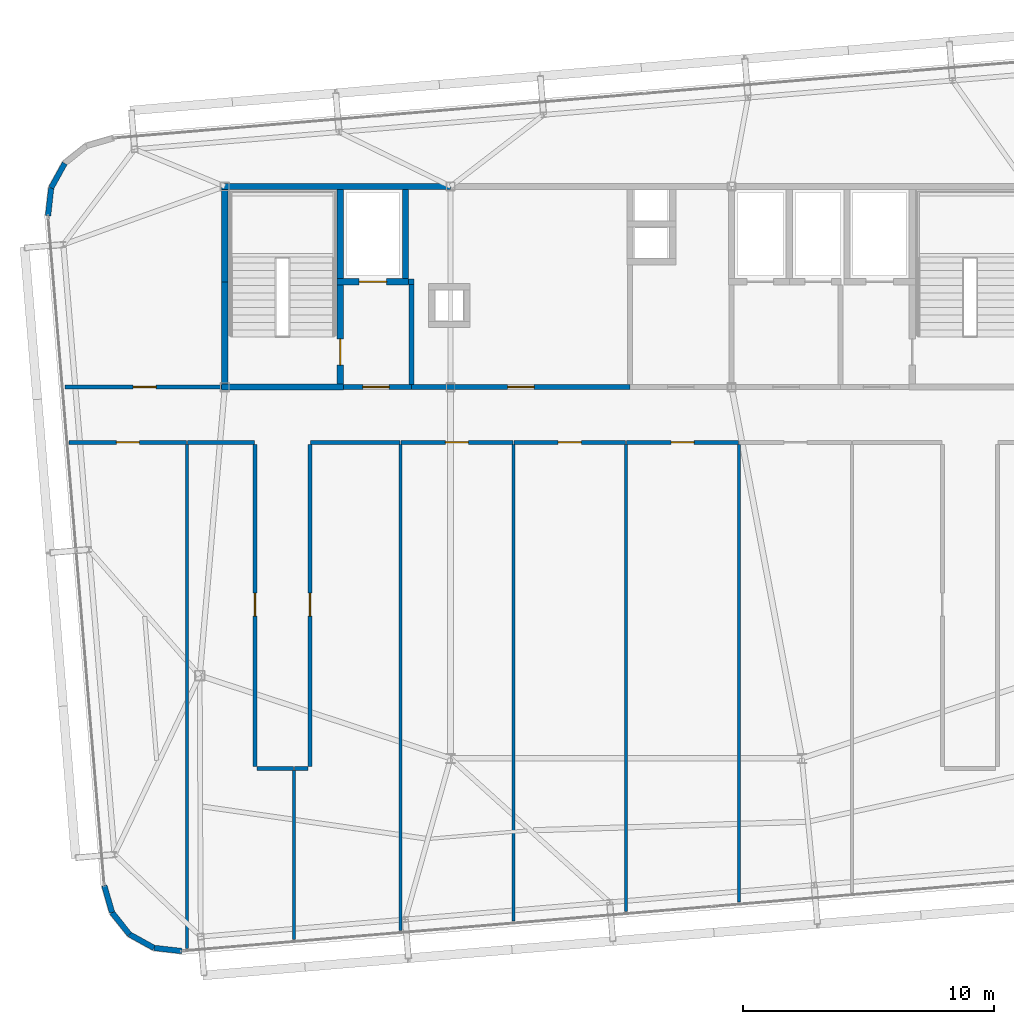
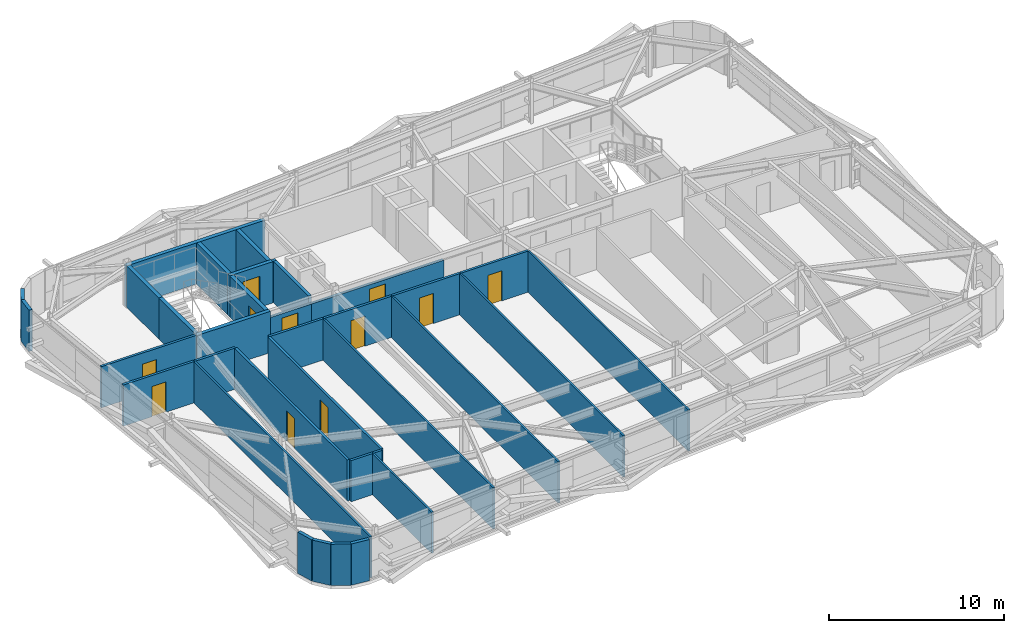
# One storey, part 35 of 39: 35 walls, 11 doors, 11 openings.
"""IFC4 building model written with IfcOpenShell, lengths in metres."""

from ifc_helpers import new_model, si_unit, direction, frame, frame_2d, origin, place, context, subcontext, project, spatial, rectangle, extrude, source, transform, mapped, material, layer, layer_set, type_object, element, fill, save


model = new_model("IFC4")

# Units and contexts
model_context = context("Model", 3, precision=1e-05, world=origin(), true_north=direction((0.0, 1.0)))
body_context = subcontext(model_context, "Body", "Model", "MODEL_VIEW")
ifc_project = project(units=[si_unit("LENGTHUNIT", "METRE"), si_unit("AREAUNIT", "SQUARE_METRE"), si_unit("VOLUMEUNIT", "CUBIC_METRE"), si_unit("PLANEANGLEUNIT", "RADIAN"), si_unit("MASSUNIT", "GRAM", prefix="KILO")], contexts=[model_context])

# Site, building, storey
site_placement = place(None, origin())
site = spatial("IfcSite", under=ifc_project, at=site_placement, CompositionType="ELEMENT")
building_placement = place(site_placement, origin())
building = spatial("IfcBuilding", under=site, at=building_placement, Name="Taldren Reach Tower", CompositionType="ELEMENT")
storey_placement = place(building_placement, frame((0.0, 0.0, 204.050048828125)))
storey = spatial("IfcBuildingStorey", under=building, at=storey_placement, Name="L62", CompositionType="ELEMENT", Elevation=204.050048828125)

# Walls
ifc_material_1 = material(Name="Pale Champagne Anodised Aluminium Cladding", Category="aluminium")
ifc_layer_1 = layer(ifc_material_1, 0.04, Name="Pale Champagne Anodised Aluminium Cladding", Category="aluminium")
ifc_material_2 = material(Name="Mineral Wool Acoustic Insulation", Category="insulation")
ifc_layer_2 = layer(ifc_material_2, 0.06, Name="Mineral Wool Acoustic Insulation", Category="insulation")
ifc_material_3 = material(Name="Steel Gr 350 (C350L0)", Category="steel")
ifc_layer_3 = layer(ifc_material_3, 0.12, Name="Steel Gr 350 (C350L0)", Category="steel")
ifc_layer_set_1 = layer_set([ifc_layer_1, ifc_layer_2, ifc_layer_3], Name="Pale Champagne Aluminium Cladding and Steel Gr 350 Stud Framing")
wall_type_1 = type_object("IfcWallType", Name="EW-CRN-220", PredefinedType="SOLIDWALL", material=ifc_layer_set_1)
shared_shape_1 = source(origin(), body_context, "Body", "SweptSolid", [
    extrude(rectangle(XDim=1.115966796875, YDim=0.219970703125, at=frame_2d((0.55810546875, 0.0))), origin(), (0.0, 0.0, 1.0), 2.869873046875),
])
for number, where, z_axis, x_axis, name in (
    (1, (12.618896484375, 32.9208984375, 0.0), (0.0, 0.0, 1.0), (-0.484100585842, -0.875012355791, 0.0), "Rounded-corner pale-metal facade wall L62-NW3"),
    (2, (12.07861328125, 31.9443359375, 0.0), (0.0, 0.0, 1.0), (-0.112232247342, -0.993682002784, 0.0), "Rounded-corner pale-metal facade wall L62-NW4"),
    (3, (14.19580078125, 4.129638671875, 0.0), (0.0, 0.0, 1.0), (0.276512002475, -0.961010464297, 0.0), "Rounded-corner pale-metal facade wall L62-SW1"),
    (4, (14.50439453125, 3.05712890625, 0.0), (0.0, 0.0, 1.0), (0.623092886403, -0.782147847222, 0.0), "Rounded-corner pale-metal facade wall L62-SW2"),
    (5, (15.19970703125, 2.184326171875, 0.0), (0.0, 0.0, 1.0), (0.875105012065, -0.483933071672, 0.0), "Rounded-corner pale-metal facade wall L62-SW3"),
    (6, (16.17626953125, 1.644287109375, 0.0), (0.0, 0.0, 1.0), (0.993657581277, -0.112448259968, 0.0), "Rounded-corner pale-metal facade wall L62-SW4"),
):
    element("IfcWall", number, at=place(storey_placement, frame(where, z_axis=z_axis, x_axis=x_axis)), inside=storey, type_object=wall_type_1, Name=name, PredefinedType="SOLIDWALL", context=body_context, shape_type="MappedRepresentation", body=[
        mapped(shared_shape_1, transform((0.0, 0.0, 0.0), scale=1.0)),
    ])
ifc_material_4 = material(Name="Concrete S50 (50 MPa)", Category="concrete")
ifc_layer_4 = layer(ifc_material_4, 0.199951171875)
ifc_layer_set_2 = layer_set([ifc_layer_4], Name="Concrete S50 (50 MPa)")
wall_type_2 = type_object("IfcWallType", Name="IW-CORE-200", PredefinedType="SOLIDWALL", material=ifc_layer_set_2)
shared_shape_2 = source(origin(), body_context, "Body", "SweptSolid", [
    extrude(rectangle(XDim=4.0, YDim=0.199951171875, at=frame_2d((2.0, 0.0))), origin(), (0.0, 0.0, 1.0), 2.869873046875),
])
wall_1_placement = place(storey_placement, frame((26.449951171875, 24.10009765625, 0.0), z_axis=(0.0, 0.0, 1.0), x_axis=(0.0, 1.0, 0.0)))
element("IfcWall", 7, at=wall_1_placement, inside=storey, type_object=wall_type_2, Name="Rear Core Shear Wall W-INT-L62-006", PredefinedType="SOLIDWALL", context=body_context, shape_type="MappedRepresentation", body=[
    mapped(shared_shape_2, transform((0.0, 0.0, 0.0), scale=1.0)),
])

# Wall, opening, door
ifc_material_5 = material(Name="Fire-Rated Acoustic Plasterboard Stud Wall", Category="gypsum")
ifc_layer_5 = layer(ifc_material_5, 0.159912109375)
ifc_layer_set_3 = layer_set([ifc_layer_5], Name="Fire-Rated Acoustic Plasterboard Stud Wall")
wall_type_3 = type_object("IfcWallType", Name="IW-FIRE-160", PredefinedType="PARTITIONING", material=ifc_layer_set_3)
shared_shape_3 = source(origin(), body_context, "Body", "SweptSolid", [
    extrude(rectangle(XDim=4.45947265625, YDim=0.159912109375, at=frame_2d((2.229736328125, 0.0))), origin(), (0.0, 0.0, 1.0), 2.869873046875),
])
wall_2_placement = place(storey_placement, frame((30.479736328125, 21.800048828125, 0.0), z_axis=(0.0, 0.0, 1.0), x_axis=(-1.0, 0.0, 0.0)))
wall_2 = element("IfcWall", 8, at=wall_2_placement, inside=storey, type_object=wall_type_3, Name="Interior Partition Wall W-INT-L62-042", PredefinedType="PARTITIONING", context=body_context, shape_type="MappedRepresentation", body=[
    mapped(shared_shape_3, transform((0.0, 0.0, 0.0), scale=1.0)),
])
shared_shape_4 = source(origin(), body_context, "Body", "SweptSolid", [
    extrude(rectangle(XDim=0.919921875, YDim=2.10009765625, at=frame_2d((0.4599609375, 1.050048828125))), frame((0.0, 0.08984375, 0.0), z_axis=(0.0, -1.0, 0.0), x_axis=(1.0, 0.0, 0.0)), (0.0, 0.0, 1.0), 0.179931640625),
])
opening_1_placement = place(wall_2_placement, frame((1.769775390625, 0.0, 0.0)))
opening_1 = element("IfcOpeningElement", 9, at=opening_1_placement, cuts=wall_2, Name="Opening DI-092", PredefinedType="OPENING", context=body_context, shape_type="MappedRepresentation", body=[
    mapped(shared_shape_4, transform((0.0, 0.0, 0.0), scale=1.0)),
])
ifc_material_6 = material(Name="Solid-Core Timber Suite Door", Category="wood")
door_type_1 = type_object("IfcDoorType", Name="ID-INT-092", OperationType="NOTDEFINED", PredefinedType="DOOR", material=ifc_material_6)
shared_shape_5 = source(origin(), body_context, "Body", "SweptSolid", [
    extrude(rectangle(XDim=0.919921875, YDim=2.10009765625, at=frame_2d((0.4599609375, 1.050048828125))), frame((0.0, 0.02490234375, 0.0), z_axis=(0.0, -1.0, 0.0), x_axis=(1.0, 0.0, 0.0)), (0.0, 0.0, 1.0), 0.050048828125),
])
door_1_placement = place(opening_1_placement, origin())
door_1 = element("IfcDoor", 10, at=door_1_placement, inside=storey, type_object=door_type_1, Name="Interior Door DR-L62-012", OperationType="SINGLE_SWING_LEFT", OverallHeight=2.10009765625, OverallWidth=0.919921875, PredefinedType="DOOR", context=body_context, shape_type="MappedRepresentation", body=[
    mapped(shared_shape_5, transform((0.0, 0.0, 0.0), scale=1.0)),
])
fill(opening_1, door_1)

wall_3_placement = place(storey_placement, frame((34.979736328125, 21.800048828125, 0.0), z_axis=(0.0, 0.0, 1.0), x_axis=(-1.0, 0.0, 0.0)))
wall_3 = element("IfcWall", 11, at=wall_3_placement, inside=storey, type_object=wall_type_3, Name="Interior Partition Wall W-INT-L62-043", PredefinedType="PARTITIONING", context=body_context, shape_type="MappedRepresentation", body=[
    mapped(shared_shape_3, transform((0.0, 0.0, 0.0), scale=1.0)),
])
opening_2_placement = place(wall_3_placement, frame((1.769775390625, 0.0, 0.0)))
opening_2 = element("IfcOpeningElement", 12, at=opening_2_placement, cuts=wall_3, Name="Opening DI-092", PredefinedType="OPENING", context=body_context, shape_type="MappedRepresentation", body=[
    mapped(shared_shape_4, transform((0.0, 0.0, 0.0), scale=1.0)),
])
door_2_placement = place(opening_2_placement, origin())
door_2 = element("IfcDoor", 13, at=door_2_placement, inside=storey, type_object=door_type_1, Name="Interior Door DR-L62-013", OperationType="SINGLE_SWING_RIGHT", OverallHeight=2.10009765625, OverallWidth=0.919921875, PredefinedType="DOOR", context=body_context, shape_type="MappedRepresentation", body=[
    mapped(shared_shape_5, transform((0.0, 0.0, 0.0), scale=1.0)),
])
fill(opening_2, door_2)

wall_4_placement = place(storey_placement, frame((39.479736328125, 21.800048828125, 0.0), z_axis=(0.0, 0.0, 1.0), x_axis=(-1.0, 0.0, 0.0)))
wall_4 = element("IfcWall", 14, at=wall_4_placement, inside=storey, type_object=wall_type_3, Name="Interior Partition Wall W-INT-L62-045", PredefinedType="PARTITIONING", context=body_context, shape_type="MappedRepresentation", body=[
    mapped(shared_shape_3, transform((0.0, 0.0, 0.0), scale=1.0)),
])
opening_3_placement = place(wall_4_placement, frame((1.769775390625, 0.0, 0.0)))
opening_3 = element("IfcOpeningElement", 15, at=opening_3_placement, cuts=wall_4, Name="Opening DI-092", PredefinedType="OPENING", context=body_context, shape_type="MappedRepresentation", body=[
    mapped(shared_shape_4, transform((0.0, 0.0, 0.0), scale=1.0)),
])
door_3_placement = place(opening_3_placement, origin())
door_3 = element("IfcDoor", 16, at=door_3_placement, inside=storey, type_object=door_type_1, Name="Interior Door DR-L62-015", OperationType="SINGLE_SWING_RIGHT", OverallHeight=2.10009765625, OverallWidth=0.919921875, PredefinedType="DOOR", context=body_context, shape_type="MappedRepresentation", body=[
    mapped(shared_shape_5, transform((0.0, 0.0, 0.0), scale=1.0)),
])
fill(opening_3, door_3)

# Walls
ifc_material_7 = material(Name="Concrete S65 (65 MPa)", Category="concrete")
ifc_layer_6 = layer(ifc_material_7, 0.25)
ifc_layer_set_4 = layer_set([ifc_layer_6], Name="Concrete S65 (65 MPa)")
wall_type_4 = type_object("IfcWallType", Name="IW-CORE-250", PredefinedType="SHEAR", material=ifc_layer_set_4)
shared_shape_6 = source(origin(), body_context, "Body", "SweptSolid", [
    extrude(rectangle(XDim=9.125, YDim=0.25, at=frame_2d((4.5625, 0.0))), origin(), (0.0, 0.0, 1.0), 2.869873046875),
])
wall_5_placement = place(storey_placement, frame((18.875, 32.0, 0.0), z_axis=(0.0, 0.0, 1.0), x_axis=(1.0, 0.0, 0.0)))
element("IfcWall", 17, at=wall_5_placement, inside=storey, type_object=wall_type_4, Name="Rear Core Shear Wall W-CORE-L62-NORTH1", PredefinedType="SHEAR", context=body_context, shape_type="MappedRepresentation", body=[
    mapped(shared_shape_6, transform((0.0, 0.0, 0.0), scale=1.0)),
])
shared_shape_7 = source(origin(), body_context, "Body", "SweptSolid", [
    extrude(rectangle(XDim=4.074951171875, YDim=0.25, at=frame_2d((2.03759765625, 0.0))), origin(), (0.0, 0.0, 1.0), 2.869873046875),
])
wall_6_placement = place(storey_placement, frame((19.0, 24.125, 0.0), z_axis=(0.0, 0.0, 1.0), x_axis=(0.0, 1.0, 0.0)))
element("IfcWall", 18, at=wall_6_placement, inside=storey, type_object=wall_type_4, Name="Rear Core Shear Wall W-CORE-L62-WEST1", PredefinedType="SHEAR", context=body_context, shape_type="MappedRepresentation", body=[
    mapped(shared_shape_7, transform((0.0, 0.0, 0.0), scale=1.0)),
])
shared_shape_8 = source(origin(), body_context, "Body", "SweptSolid", [
    extrude(rectangle(XDim=3.675048828125, YDim=0.25, at=frame_2d((1.83740234375, 0.0))), origin(), (0.0, 0.0, 1.0), 2.869873046875),
])
wall_7_placement = place(storey_placement, frame((19.0, 28.199951171875, 0.0), z_axis=(0.0, 0.0, 1.0), x_axis=(0.0, 1.0, 0.0)))
element("IfcWall", 19, at=wall_7_placement, inside=storey, type_object=wall_type_4, Name="Rear Core Shear Wall W-CORE-L62-WEST2", PredefinedType="SHEAR", context=body_context, shape_type="MappedRepresentation", body=[
    mapped(shared_shape_8, transform((0.0, 0.0, 0.0), scale=1.0)),
])
shared_shape_9 = source(origin(), body_context, "Body", "SweptSolid", [
    extrude(rectangle(XDim=3.550048828125, YDim=0.25, at=frame_2d((1.77490234375, 0.0))), origin(), (0.0, 0.0, 1.0), 2.869873046875),
])
for number, where, z_axis, x_axis, name in (
    (20, (23.60009765625, 28.324951171875, 0.0), (0.0, 0.0, 1.0), (0.0, 1.0, 0.0), "Rear Core Shear Wall W-INT-L62-001"),
    (21, (26.199951171875, 28.324951171875, 0.0), (0.0, 0.0, 1.0), (0.0, 1.0, 0.0), "Rear Core Shear Wall W-INT-L62-005"),
):
    element("IfcWall", number, at=place(storey_placement, frame(where, z_axis=z_axis, x_axis=x_axis)), inside=storey, type_object=wall_type_4, Name=name, PredefinedType="SHEAR", context=body_context, shape_type="MappedRepresentation", body=[
        mapped(shared_shape_9, transform((0.0, 0.0, 0.0), scale=1.0)),
    ])

# Wall, opening, door
shared_shape_10 = source(origin(), body_context, "Body", "SweptSolid", [
    extrude(rectangle(XDim=3.949951171875, YDim=0.25, at=frame_2d((1.97509765625, 0.0))), origin(), (0.0, 0.0, 1.0), 2.869873046875),
])
wall_8_placement = place(storey_placement, frame((23.60009765625, 24.125, 0.0), z_axis=(0.0, 0.0, 1.0), x_axis=(0.0, 1.0, 0.0)))
wall_8 = element("IfcWall", 22, at=wall_8_placement, inside=storey, type_object=wall_type_4, Name="Rear Core Shear Wall W-INT-L62-002", PredefinedType="SHEAR", context=body_context, shape_type="MappedRepresentation", body=[
    mapped(shared_shape_10, transform((0.0, 0.0, 0.0), scale=1.0)),
])
shared_shape_11 = source(origin(), body_context, "Body", "SweptSolid", [
    extrude(rectangle(XDim=1.050048828125, YDim=2.10009765625, at=frame_2d((0.52490234375, 1.050048828125))), frame((0.0, 0.135009765625, 0.0), z_axis=(0.0, -1.0, 0.0), x_axis=(1.0, 0.0, 0.0)), (0.0, 0.0, 1.0), 0.27001953125),
])
opening_4_placement = place(wall_8_placement, frame((0.75, 0.0, 0.0)))
opening_4 = element("IfcOpeningElement", 23, at=opening_4_placement, cuts=wall_8, Name="Opening DF-105", PredefinedType="OPENING", context=body_context, shape_type="MappedRepresentation", body=[
    mapped(shared_shape_11, transform((0.0, 0.0, 0.0), scale=1.0)),
])
ifc_material_8 = material(Name="Fire-Rated Care and Stair Exit Door")
door_type_2 = type_object("IfcDoorType", Name="ID-FIRE-105", OperationType="NOTDEFINED", PredefinedType="DOOR", material=ifc_material_8)
shared_shape_12 = source(origin(), body_context, "Body", "SweptSolid", [
    extrude(rectangle(XDim=1.050048828125, YDim=2.10009765625, at=frame_2d((0.52490234375, 1.050048828125))), frame((0.0, 0.02490234375, 0.0), z_axis=(0.0, -1.0, 0.0), x_axis=(1.0, 0.0, 0.0)), (0.0, 0.0, 1.0), 0.050048828125),
])
door_4_placement = place(opening_4_placement, origin())
door_4 = element("IfcDoor", 24, at=door_4_placement, inside=storey, type_object=door_type_2, Name="Fire Exit Stair Door DR-L62-001", OperationType="SINGLE_SWING_LEFT", OverallHeight=2.10009765625, OverallWidth=1.050048828125, PredefinedType="DOOR", context=body_context, shape_type="MappedRepresentation", body=[
    mapped(shared_shape_12, transform((0.0, 0.0, 0.0), scale=1.0)),
])
fill(opening_4, door_4)

# Wall
shared_shape_13 = source(origin(), body_context, "Body", "SweptSolid", [
    extrude(rectangle(XDim=4.85009765625, YDim=0.25, at=frame_2d((2.425048828125, 0.0))), origin(), (0.0, 0.0, 1.0), 2.869873046875),
])
wall_9_placement = place(storey_placement, frame((18.875, 24.0, 0.0), z_axis=(0.0, 0.0, 1.0), x_axis=(1.0, 0.0, 0.0)))
element("IfcWall", 25, at=wall_9_placement, inside=storey, type_object=wall_type_4, Name="Rear Core Shear Wall W-INT-L62-003", PredefinedType="SHEAR", context=body_context, shape_type="MappedRepresentation", body=[
    mapped(shared_shape_13, transform((0.0, 0.0, 0.0), scale=1.0)),
])

# Wall, opening, door
shared_shape_14 = source(origin(), body_context, "Body", "SweptSolid", [
    extrude(rectangle(XDim=2.849853515625, YDim=0.25, at=frame_2d((1.4248046875, 0.0))), origin(), (0.0, 0.0, 1.0), 2.869873046875),
])
wall_10_placement = place(storey_placement, frame((23.47509765625, 28.199951171875, 0.0), z_axis=(0.0, 0.0, 1.0), x_axis=(1.0, 0.0, 0.0)))
wall_10 = element("IfcWall", 26, at=wall_10_placement, inside=storey, type_object=wall_type_4, Name="Rear Core Shear Wall W-INT-L62-004", PredefinedType="SHEAR", context=body_context, shape_type="MappedRepresentation", body=[
    mapped(shared_shape_14, transform((0.0, 0.0, 0.0), scale=1.0)),
])
shared_shape_15 = source(origin(), body_context, "Body", "SweptSolid", [
    extrude(rectangle(XDim=1.10009765625, YDim=2.14990234375, at=frame_2d((0.550048828125, 1.074951171875))), frame((0.0, 0.135009765625, 0.0), z_axis=(0.0, -1.0, 0.0), x_axis=(1.0, 0.0, 0.0)), (0.0, 0.0, 1.0), 0.27001953125),
])
opening_5_placement = place(wall_10_placement, frame((0.875, 0.0, 0.0)))
opening_5 = element("IfcOpeningElement", 27, at=opening_5_placement, cuts=wall_10, Name="Opening LD-FL1", PredefinedType="OPENING", context=body_context, shape_type="MappedRepresentation", body=[
    mapped(shared_shape_15, transform((0.0, 0.0, 0.0), scale=1.0)),
])
ifc_material_9 = material(Name="Stainless Steel Gr 316 Emergency Lift Landing Door", Category="steel")
door_type_3 = type_object("IfcDoorType", Name="LD-EMG-110", OperationType="SLIDING_TO_LEFT", PredefinedType="DOOR", material=ifc_material_9)
shared_shape_16 = source(origin(), body_context, "Body", "SweptSolid", [
    extrude(rectangle(XDim=1.10009765625, YDim=2.14990234375, at=frame_2d((0.550048828125, 1.074951171875))), frame((0.0, 0.02490234375, 0.0), z_axis=(0.0, -1.0, 0.0), x_axis=(1.0, 0.0, 0.0)), (0.0, 0.0, 1.0), 0.050048828125),
])
door_5_placement = place(opening_5_placement, origin())
door_5 = element("IfcDoor", 28, at=door_5_placement, inside=storey, type_object=door_type_3, Name="Lift Landing Door LD-FL1-L62", OperationType="SLIDING_TO_LEFT", OverallHeight=2.14990234375, OverallWidth=1.10009765625, PredefinedType="DOOR", context=body_context, shape_type="MappedRepresentation", body=[
    mapped(shared_shape_16, transform((0.0, 0.0, 0.0), scale=1.0)),
])
fill(opening_5, door_5)

shared_shape_17 = source(origin(), body_context, "Body", "SweptSolid", [
    extrude(rectangle(XDim=2.724853515625, YDim=0.199951171875, at=frame_2d((1.3623046875, 0.0))), origin(), (0.0, 0.0, 1.0), 2.409912109375),
])
wall_11_placement = place(storey_placement, frame((23.72509765625, 24.0, 0.0), z_axis=(0.0, 0.0, 1.0), x_axis=(1.0, 0.0, 0.0)))
wall_11 = element("IfcWall", 29, at=wall_11_placement, inside=storey, type_object=wall_type_2, Name="Rear Core Shear Wall W-INT-L62-007", PredefinedType="SOLIDWALL", context=body_context, shape_type="MappedRepresentation", body=[
    mapped(shared_shape_17, transform((0.0, 0.0, 0.0), scale=1.0)),
])
shared_shape_18 = source(origin(), body_context, "Body", "SweptSolid", [
    extrude(rectangle(XDim=1.050048828125, YDim=2.10009765625, at=frame_2d((0.52490234375, 1.050048828125))), frame((0.0, 0.10986328125, 0.0), z_axis=(0.0, -1.0, 0.0), x_axis=(1.0, 0.0, 0.0)), (0.0, 0.0, 1.0), 0.219970703125),
])
opening_6_placement = place(wall_11_placement, frame((0.77490234375, 0.0, 0.0)))
opening_6 = element("IfcOpeningElement", 30, at=opening_6_placement, cuts=wall_11, Name="Opening DF-105", PredefinedType="OPENING", context=body_context, shape_type="MappedRepresentation", body=[
    mapped(shared_shape_18, transform((0.0, 0.0, 0.0), scale=1.0)),
])
door_6_placement = place(opening_6_placement, origin())
door_6 = element("IfcDoor", 31, at=door_6_placement, inside=storey, type_object=door_type_2, Name="Interior Door DR-L62-002", OperationType="SINGLE_SWING_LEFT", OverallHeight=2.10009765625, OverallWidth=1.050048828125, PredefinedType="DOOR", context=body_context, shape_type="MappedRepresentation", body=[
    mapped(shared_shape_12, transform((0.0, 0.0, 0.0), scale=1.0)),
])
fill(opening_6, door_6)

shared_shape_19 = source(origin(), body_context, "Body", "SweptSolid", [
    extrude(rectangle(XDim=8.699951171875, YDim=0.199951171875, at=frame_2d((4.35009765625, 0.0))), origin(), (0.0, 0.0, 1.0), 2.409912109375),
])
wall_12_placement = place(storey_placement, frame((35.14990234375, 24.0, 0.0), z_axis=(0.0, 0.0, 1.0), x_axis=(-1.0, 0.0, 0.0)))
wall_12 = element("IfcWall", 32, at=wall_12_placement, inside=storey, type_object=wall_type_2, Name="Rear Core Shear Wall W-INT-L62-032", PredefinedType="SOLIDWALL", context=body_context, shape_type="MappedRepresentation", body=[
    mapped(shared_shape_19, transform((0.0, 0.0, 0.0), scale=1.0)),
])
opening_7_placement = place(wall_12_placement, frame((3.824951171875, 0.0, 0.0)))
opening_7 = element("IfcOpeningElement", 33, at=opening_7_placement, cuts=wall_12, Name="Opening DF-105", PredefinedType="OPENING", context=body_context, shape_type="MappedRepresentation", body=[
    mapped(shared_shape_18, transform((0.0, 0.0, 0.0), scale=1.0)),
])
door_7_placement = place(opening_7_placement, frame((1.050048828125, 0.0, 0.0), z_axis=(0.0, 0.0, 1.0), x_axis=(-1.0, 0.0, 0.0)))
door_7 = element("IfcDoor", 34, at=door_7_placement, inside=storey, type_object=door_type_2, Name="Interior Door DR-L62-006", OperationType="SINGLE_SWING_RIGHT", OverallHeight=2.10009765625, OverallWidth=1.050048828125, PredefinedType="DOOR", context=body_context, shape_type="MappedRepresentation", body=[
    mapped(shared_shape_12, transform((0.0, 0.0, 0.0), scale=1.0)),
])
fill(opening_7, door_7)

shared_shape_20 = source(origin(), body_context, "Body", "SweptSolid", [
    extrude(rectangle(XDim=6.250732421875, YDim=0.159912109375, at=frame_2d((3.12548828125, 0.0))), origin(), (0.0, 0.0, 1.0), 2.869873046875),
])
wall_13_placement = place(storey_placement, frame((12.624267578125, 24.0, 0.0), z_axis=(0.0, 0.0, 1.0), x_axis=(1.0, 0.0, 0.0)))
wall_13 = element("IfcWall", 35, at=wall_13_placement, inside=storey, type_object=wall_type_3, Name="Interior Partition Wall W-INT-L62-034", PredefinedType="PARTITIONING", context=body_context, shape_type="MappedRepresentation", body=[
    mapped(shared_shape_20, transform((0.0, 0.0, 0.0), scale=1.0)),
])
opening_8_placement = place(wall_13_placement, frame((2.7177734375, 0.0, 0.0)))
opening_8 = element("IfcOpeningElement", 36, at=opening_8_placement, cuts=wall_13, Name="Opening DI-092", PredefinedType="OPENING", context=body_context, shape_type="MappedRepresentation", body=[
    mapped(shared_shape_4, transform((0.0, 0.0, 0.0), scale=1.0)),
])
door_8_placement = place(opening_8_placement, origin())
door_8 = element("IfcDoor", 37, at=door_8_placement, inside=storey, type_object=door_type_1, Name="Interior Door DR-L62-008", OperationType="SINGLE_SWING_LEFT", OverallHeight=2.10009765625, OverallWidth=0.919921875, PredefinedType="DOOR", context=body_context, shape_type="MappedRepresentation", body=[
    mapped(shared_shape_5, transform((0.0, 0.0, 0.0), scale=1.0)),
])
fill(opening_8, door_8)

shared_shape_21 = source(origin(), body_context, "Body", "SweptSolid", [
    extrude(rectangle(XDim=4.68408203125, YDim=0.159912109375, at=frame_2d((2.342041015625, 0.0))), origin(), (0.0, 0.0, 1.0), 2.869873046875),
])
wall_14_placement = place(storey_placement, frame((17.479736328125, 21.800048828125, 0.0), z_axis=(0.0, 0.0, 1.0), x_axis=(-1.0, 0.0, 0.0)))
wall_14 = element("IfcWall", 38, at=wall_14_placement, inside=storey, type_object=wall_type_3, Name="Interior Partition Wall W-INT-L62-035", PredefinedType="PARTITIONING", context=body_context, shape_type="MappedRepresentation", body=[
    mapped(shared_shape_21, transform((0.0, 0.0, 0.0), scale=1.0)),
])
opening_9_placement = place(wall_14_placement, frame((1.882080078125, 0.0, 0.0)))
opening_9 = element("IfcOpeningElement", 39, at=opening_9_placement, cuts=wall_14, Name="Opening DI-092", PredefinedType="OPENING", context=body_context, shape_type="MappedRepresentation", body=[
    mapped(shared_shape_4, transform((0.0, 0.0, 0.0), scale=1.0)),
])
door_9_placement = place(opening_9_placement, origin())
door_9 = element("IfcDoor", 40, at=door_9_placement, inside=storey, type_object=door_type_1, Name="Interior Door DR-L62-009", OperationType="SINGLE_SWING_RIGHT", OverallHeight=2.10009765625, OverallWidth=0.919921875, PredefinedType="DOOR", context=body_context, shape_type="MappedRepresentation", body=[
    mapped(shared_shape_5, transform((0.0, 0.0, 0.0), scale=1.0)),
])
fill(opening_9, door_9)

shared_shape_22 = source(origin(), body_context, "Body", "SweptSolid", [
    extrude(rectangle(XDim=12.840087890625, YDim=0.159912109375, at=frame_2d((6.419921875, 0.0))), origin(), (0.0, 0.0, 1.0), 2.869873046875),
])
wall_15_placement = place(storey_placement, frame((20.199951171875, 8.8798828125, 0.0), z_axis=(0.0, 0.0, 1.0), x_axis=(0.0, 1.0, 0.0)))
wall_15 = element("IfcWall", 41, at=wall_15_placement, inside=storey, type_object=wall_type_3, Name="Interior Partition Wall W-INT-L62-036", PredefinedType="PARTITIONING", context=body_context, shape_type="MappedRepresentation", body=[
    mapped(shared_shape_22, transform((0.0, 0.0, 0.0), scale=1.0)),
])
opening_10_placement = place(wall_15_placement, frame((5.98974609375, 0.0, 0.0)))
opening_10 = element("IfcOpeningElement", 42, at=opening_10_placement, cuts=wall_15, Name="Opening DI-092", PredefinedType="OPENING", context=body_context, shape_type="MappedRepresentation", body=[
    mapped(shared_shape_4, transform((0.0, 0.0, 0.0), scale=1.0)),
])
door_10_placement = place(opening_10_placement, origin())
door_10 = element("IfcDoor", 43, at=door_10_placement, inside=storey, type_object=door_type_1, Name="Interior Door DR-L62-010", OperationType="SINGLE_SWING_LEFT", OverallHeight=2.10009765625, OverallWidth=0.919921875, PredefinedType="DOOR", context=body_context, shape_type="MappedRepresentation", body=[
    mapped(shared_shape_5, transform((0.0, 0.0, 0.0), scale=1.0)),
])
fill(opening_10, door_10)

wall_16_placement = place(storey_placement, frame((22.39990234375, 21.719970703125, 0.0), z_axis=(0.0, 0.0, 1.0), x_axis=(0.0, -1.0, 0.0)))
wall_16 = element("IfcWall", 44, at=wall_16_placement, inside=storey, type_object=wall_type_3, Name="Interior Partition Wall W-INT-L62-039", PredefinedType="PARTITIONING", context=body_context, shape_type="MappedRepresentation", body=[
    mapped(shared_shape_22, transform((0.0, 0.0, 0.0), scale=1.0)),
])
opening_11_placement = place(wall_16_placement, frame((5.93017578125, 0.0, 0.0)))
opening_11 = element("IfcOpeningElement", 45, at=opening_11_placement, cuts=wall_16, Name="Opening DI-092", PredefinedType="OPENING", context=body_context, shape_type="MappedRepresentation", body=[
    mapped(shared_shape_4, transform((0.0, 0.0, 0.0), scale=1.0)),
])
door_11_placement = place(opening_11_placement, origin())
door_11 = element("IfcDoor", 46, at=door_11_placement, inside=storey, type_object=door_type_1, Name="Interior Door DR-L62-011", OperationType="SINGLE_SWING_RIGHT", OverallHeight=2.10009765625, OverallWidth=0.919921875, PredefinedType="DOOR", context=body_context, shape_type="MappedRepresentation", body=[
    mapped(shared_shape_5, transform((0.0, 0.0, 0.0), scale=1.0)),
])
fill(opening_11, door_11)

# Walls
shared_shape_23 = source(origin(), body_context, "Body", "SweptSolid", [
    extrude(rectangle(XDim=2.659423828125, YDim=0.159912109375, at=frame_2d((1.32958984375, 0.0))), origin(), (0.0, 0.0, 1.0), 2.869873046875),
])
wall_17_placement = place(storey_placement, frame((20.1796875, 21.800048828125, 0.0), z_axis=(0.0, 0.0, 1.0), x_axis=(-1.0, 0.0, 0.0)))
element("IfcWall", 47, at=wall_17_placement, inside=storey, type_object=wall_type_3, Name="Interior Partition Wall W-INT-L62-037", PredefinedType="PARTITIONING", context=body_context, shape_type="MappedRepresentation", body=[
    mapped(shared_shape_23, transform((0.0, 0.0, 0.0), scale=1.0)),
])
shared_shape_24 = source(origin(), body_context, "Body", "SweptSolid", [
    extrude(rectangle(XDim=1.44970703125, YDim=0.159912109375, at=frame_2d((0.724853515625, 0.0))), origin(), (0.0, 0.0, 1.0), 2.869873046875),
])
wall_18_placement = place(storey_placement, frame((21.729736328125, 8.800048828125, 0.0), z_axis=(0.0, 0.0, 1.0), x_axis=(-1.0, 0.0, 0.0)))
element("IfcWall", 48, at=wall_18_placement, inside=storey, type_object=wall_type_3, Name="Interior Partition Wall W-INT-L62-038", PredefinedType="PARTITIONING", context=body_context, shape_type="MappedRepresentation", body=[
    mapped(shared_shape_24, transform((0.0, 0.0, 0.0), scale=1.0)),
])
shared_shape_25 = source(origin(), body_context, "Body", "SweptSolid", [
    extrude(rectangle(XDim=3.559326171875, YDim=0.159912109375, at=frame_2d((1.77978515625, 0.0))), origin(), (0.0, 0.0, 1.0), 2.869873046875),
])
wall_19_placement = place(storey_placement, frame((25.979736328125, 21.800048828125, 0.0), z_axis=(0.0, 0.0, 1.0), x_axis=(-1.0, 0.0, 0.0)))
element("IfcWall", 49, at=wall_19_placement, inside=storey, type_object=wall_type_3, Name="Interior Partition Wall W-INT-L62-040", PredefinedType="PARTITIONING", context=body_context, shape_type="MappedRepresentation", body=[
    mapped(shared_shape_25, transform((0.0, 0.0, 0.0), scale=1.0)),
])
shared_shape_26 = source(origin(), body_context, "Body", "SweptSolid", [
    extrude(rectangle(XDim=0.5498046875, YDim=0.159912109375, at=frame_2d((0.27490234375, 0.0))), origin(), (0.0, 0.0, 1.0), 2.869873046875),
])
wall_20_placement = place(storey_placement, frame((22.320068359375, 8.800048828125, 0.0), z_axis=(0.0, 0.0, 1.0), x_axis=(-1.0, 0.0, 0.0)))
element("IfcWall", 50, at=wall_20_placement, inside=storey, type_object=wall_type_3, Name="Interior Partition Wall W-INT-L62-041", PredefinedType="PARTITIONING", context=body_context, shape_type="MappedRepresentation", body=[
    mapped(shared_shape_26, transform((0.0, 0.0, 0.0), scale=1.0)),
])
ifc_material_10 = material(Name="Insulated Residential Stud Partition", Category="gypsum")
ifc_layer_7 = layer(ifc_material_10, 0.1201171875)
ifc_layer_set_5 = layer_set([ifc_layer_7], Name="Insulated Residential Stud Partition")
wall_type_5 = type_object("IfcWallType", Name="IW-PART-120", PredefinedType="PARTITIONING", material=ifc_layer_set_5)
shared_shape_27 = source(origin(), body_context, "Body", "SweptSolid", [
    extrude(rectangle(XDim=20.099365234375, YDim=0.1201171875, at=frame_2d((10.0498046875, 0.0))), origin(), (0.0, 0.0, 1.0), 2.869873046875),
])
wall_21_placement = place(storey_placement, frame((17.5, 21.719970703125, 0.0), z_axis=(0.0, 0.0, 1.0), x_axis=(0.0, -1.0, 0.0)))
element("IfcWall", 51, at=wall_21_placement, inside=storey, type_object=wall_type_5, Name="Interior Partition Wall W-INT-L62-054", PredefinedType="PARTITIONING", context=body_context, shape_type="MappedRepresentation", body=[
    mapped(shared_shape_27, transform((0.0, 0.0, 0.0), scale=1.0)),
])
shared_shape_28 = source(origin(), body_context, "Body", "SweptSolid", [
    extrude(rectangle(XDim=6.74267578125, YDim=0.1201171875, at=frame_2d((3.371337890625, 0.0))), origin(), (0.0, 0.0, 1.0), 2.869873046875),
])
wall_22_placement = place(storey_placement, frame((21.75, 8.719970703125, 0.0), z_axis=(0.0, 0.0, 1.0), x_axis=(0.0, -1.0, 0.0)))
element("IfcWall", 52, at=wall_22_placement, inside=storey, type_object=wall_type_5, Name="Interior Partition Wall W-INT-L62-055", PredefinedType="PARTITIONING", context=body_context, shape_type="MappedRepresentation", body=[
    mapped(shared_shape_28, transform((0.0, 0.0, 0.0), scale=1.0)),
])
shared_shape_29 = source(origin(), body_context, "Body", "SweptSolid", [
    extrude(rectangle(XDim=19.3818359375, YDim=0.1201171875, at=frame_2d((9.69091796875, 0.0))), origin(), (0.0, 0.0, 1.0), 2.869873046875),
])
wall_23_placement = place(storey_placement, frame((26.0, 21.718017578125, 0.0), z_axis=(0.0, 0.0, 1.0), x_axis=(0.0, -1.0, 0.0)))
element("IfcWall", 53, at=wall_23_placement, inside=storey, type_object=wall_type_5, Name="Interior Partition Wall W-INT-L62-056", PredefinedType="PARTITIONING", context=body_context, shape_type="MappedRepresentation", body=[
    mapped(shared_shape_29, transform((0.0, 0.0, 0.0), scale=1.0)),
])
shared_shape_30 = source(origin(), body_context, "Body", "SweptSolid", [
    extrude(rectangle(XDim=19.0078125, YDim=0.1201171875, at=frame_2d((9.50390625, 0.0))), origin(), (0.0, 0.0, 1.0), 2.869873046875),
])
wall_24_placement = place(storey_placement, frame((30.5, 21.719970703125, 0.0), z_axis=(0.0, 0.0, 1.0), x_axis=(0.0, -1.0, 0.0)))
element("IfcWall", 54, at=wall_24_placement, inside=storey, type_object=wall_type_5, Name="Interior Partition Wall W-INT-L62-057", PredefinedType="PARTITIONING", context=body_context, shape_type="MappedRepresentation", body=[
    mapped(shared_shape_30, transform((0.0, 0.0, 0.0), scale=1.0)),
])
shared_shape_31 = source(origin(), body_context, "Body", "SweptSolid", [
    extrude(rectangle(XDim=18.6259765625, YDim=0.1201171875, at=frame_2d((9.31298828125, 0.0))), origin(), (0.0, 0.0, 1.0), 2.869873046875),
])
wall_25_placement = place(storey_placement, frame((35.0, 21.718017578125, 0.0), z_axis=(0.0, 0.0, 1.0), x_axis=(0.0, -1.0, 0.0)))
element("IfcWall", 55, at=wall_25_placement, inside=storey, type_object=wall_type_5, Name="Interior Partition Wall W-INT-L62-058", PredefinedType="PARTITIONING", context=body_context, shape_type="MappedRepresentation", body=[
    mapped(shared_shape_31, transform((0.0, 0.0, 0.0), scale=1.0)),
])
shared_shape_32 = source(origin(), body_context, "Body", "SweptSolid", [
    extrude(rectangle(XDim=18.251953125, YDim=0.1201171875, at=frame_2d((9.1259765625, 0.0))), origin(), (0.0, 0.0, 1.0), 2.869873046875),
])
wall_26_placement = place(storey_placement, frame((39.5, 21.719970703125, 0.0), z_axis=(0.0, 0.0, 1.0), x_axis=(0.0, -1.0, 0.0)))
element("IfcWall", 56, at=wall_26_placement, inside=storey, type_object=wall_type_5, Name="Interior Partition Wall W-INT-L62-059", PredefinedType="PARTITIONING", context=body_context, shape_type="MappedRepresentation", body=[
    mapped(shared_shape_32, transform((0.0, 0.0, 0.0), scale=1.0)),
])
shared_shape_33 = source(origin(), body_context, "Body", "SweptSolid", [
    extrude(rectangle(XDim=0.22509765625, YDim=0.199951171875, at=frame_2d((0.112548828125, 0.0))), origin(), (0.0, 0.0, 1.0), 2.869873046875),
])
wall_27_placement = place(storey_placement, frame((26.324951171875, 28.199951171875, 0.0), z_axis=(0.0, 0.0, 1.0), x_axis=(1.0, 0.0, 0.0)))
element("IfcWall", 57, at=wall_27_placement, inside=storey, type_object=wall_type_2, Name="Rear Core Partition Wall W-INT-L62-063", PredefinedType="SOLIDWALL", context=body_context, shape_type="MappedRepresentation", body=[
    mapped(shared_shape_33, transform((0.0, 0.0, 0.0), scale=1.0)),
])

save(model, "model.ifc")
